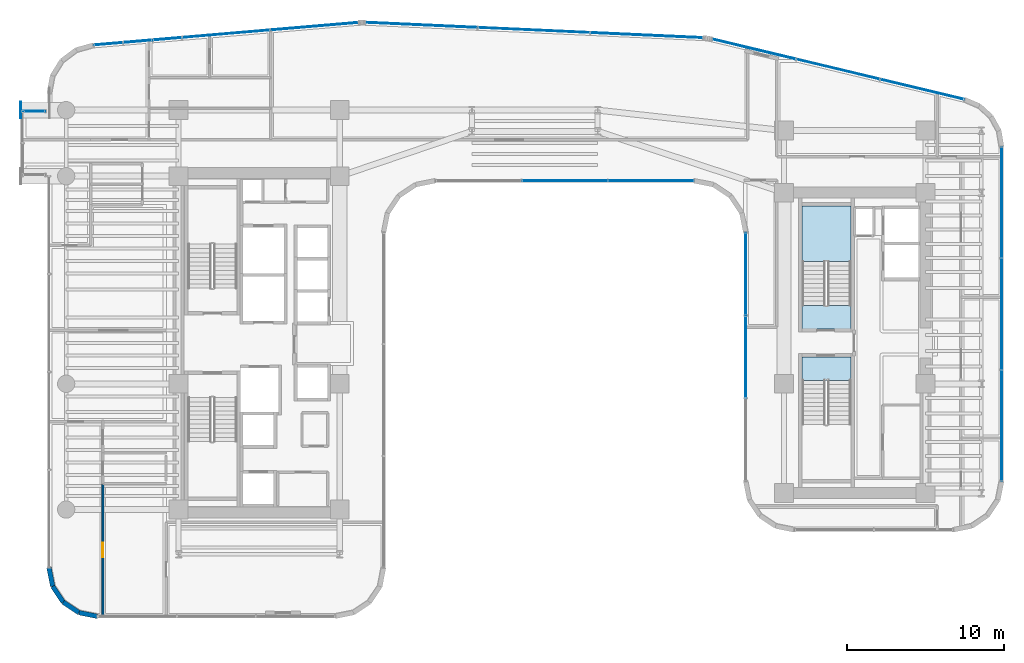
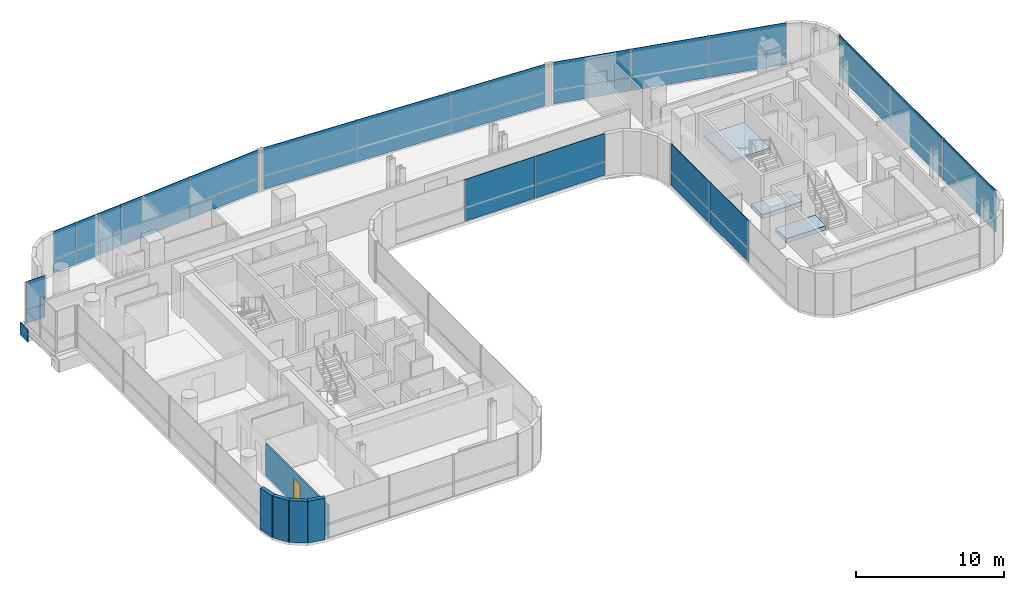
# One storey, part 26 of 35: 33 plates, 5 walls, 3 slabs, 1 door, 1 opening, 8 elements without a shape of their own.
"""IFC4 building model written with IfcOpenShell, lengths in metres."""

import ifcopenshell
import ifcopenshell.guid

model = None  # the IFC model being written
_history = None  # IfcOwnerHistory: only IFC2X3 demands one
_inside = {}  # id of a spatial element -> (the spatial element, [elements in it])
_under = {}  # id of a project, library or spatial element -> (it, [spatial elements below it])
_declared = {}  # id of a project -> (the project, [libraries it declares])
_typed = {}  # id of a type object -> (the type object, [elements of that type])
_made_of = {}  # id of a material, layer set ... -> (it, [elements and type objects made of it])


def new_model(schema):
    """Start an empty IFC model of exactly this schema.

    Asked for "IFC4X3", IfcOpenShell would pick the latest addendum, in which some entities
    have other attributes; the version numbers below select the first issue.
    IFC2X3 requires an IfcOwnerHistory on every rooted entity: one is made here for all.
    """
    global model, _history
    if schema == "IFC4X3":
        model = ifcopenshell.file(schema_version=(4, 3, 0, 0))
    else:
        model = ifcopenshell.file(schema=schema)
    _inside.clear()
    _under.clear()
    _declared.clear()
    _typed.clear()
    _made_of.clear()
    _history = None
    if model.schema == "IFC2X3":
        org = make("IfcOrganization", Name="unknown")
        user = make(
            "IfcPersonAndOrganization",
            ThePerson=make("IfcPerson", FamilyName="unknown"),
            TheOrganization=org,
        )
        app = make(
            "IfcApplication",
            ApplicationDeveloper=org,
            Version="unknown",
            ApplicationFullName="unknown",
            ApplicationIdentifier="unknown",
        )
        _history = make(
            "IfcOwnerHistory",
            OwningUser=user,
            OwningApplication=app,
            ChangeAction="ADDED",
            CreationDate=0,
        )
    return model


def make(cls, **values):
    """One entity of the class cls with the attributes given. An attribute that is None is left unset."""
    return model.create_entity(
        cls, **{name: value for name, value in values.items() if value is not None}
    )


def rooted(cls, **values):
    """An entity with a GlobalId (a new one), such as an element, a storey or a relation."""
    return make(cls, GlobalId=ifcopenshell.guid.new(), OwnerHistory=_history, **values)


def si_unit(unit_type, name, prefix=None):
    """IfcSIUnit, for example si_unit("LENGTHUNIT", "METRE", prefix="MILLI")."""
    return make("IfcSIUnit", UnitType=unit_type, Prefix=prefix, Name=name)


def assignment(units):
    """IfcUnitAssignment: the units of a project."""
    return None if units is None else make("IfcUnitAssignment", Units=units)


def point(xyz):
    """IfcCartesianPoint."""
    return None if xyz is None else make("IfcCartesianPoint", Coordinates=xyz)


def direction(xyz):
    """IfcDirection."""
    return None if xyz is None else make("IfcDirection", DirectionRatios=xyz)


def frame(location, z_axis=None, x_axis=None):
    """IfcAxis2Placement3D, a coordinate frame: its origin and axes. An axis left out is left unset."""
    return make(
        "IfcAxis2Placement3D",
        Location=point(location),
        Axis=direction(z_axis),
        RefDirection=direction(x_axis),
    )


def frame_2d(location, x_axis=None):
    """IfcAxis2Placement2D, a coordinate frame in the plane: its origin and x axis."""
    return make(
        "IfcAxis2Placement2D", Location=point(location), RefDirection=direction(x_axis)
    )


def origin():
    """The frame at (0, 0, 0) with its axes left unset."""
    return frame((0.0, 0.0, 0.0))


def origin_2d():
    """The frame at (0, 0) in the plane with its x axis left unset."""
    return frame_2d((0.0, 0.0))


def place(relative_to, where):
    """IfcLocalPlacement: puts the frame where relative to a parent placement (None: the world)."""
    return make(
        "IfcLocalPlacement", PlacementRelTo=relative_to, RelativePlacement=where
    )


def context(
    kind, dimensions, precision=None, world=None, true_north=None, identifier=None
):
    """IfcGeometricRepresentationContext, for example the 3D "Model" context."""
    return make(
        "IfcGeometricRepresentationContext",
        ContextIdentifier=identifier,
        ContextType=kind,
        CoordinateSpaceDimension=dimensions,
        Precision=precision,
        WorldCoordinateSystem=world,
        TrueNorth=true_north,
    )


def subcontext(parent, identifier, kind, view, scale=None):
    """IfcGeometricRepresentationSubContext, for example "Body" below "Model"."""
    return make(
        "IfcGeometricRepresentationSubContext",
        ContextIdentifier=identifier,
        ContextType=kind,
        ParentContext=parent,
        TargetScale=scale,
        TargetView=view,
    )


def project(units=None, contexts=None):
    """IfcProject with its units and contexts."""
    return rooted(
        "IfcProject",
        Name="project",
        RepresentationContexts=contexts,
        UnitsInContext=assignment(units),
    )


def spatial(cls, under=None, at=None, **own):
    """A site, building, storey or space (cls), placed at a placement, below another one or the project."""
    s = rooted(cls, ObjectPlacement=at, **own)
    if under is not None:
        _under.setdefault(under.id(), (under, []))[1].append(s)
    return s


def polyline(points):
    """IfcPolyline through the points."""
    return make("IfcPolyline", Points=[point(p) for p in points])


def profile(cls, at=None, kind="AREA", **sizes):
    """A parametric profile (cls). Its sizes go by their IFC names, for example OverallWidth=200.0."""
    return make(cls, ProfileType=kind, Position=at, **sizes)


def rectangle(**sizes):
    """IfcRectangleProfileDef."""
    return profile("IfcRectangleProfileDef", **sizes)


def outline(outer, holes=None, kind="AREA"):
    """IfcArbitraryClosedProfileDef: a profile drawn as a closed curve; with holes, ...WithVoids."""
    if holes is None:
        return make("IfcArbitraryClosedProfileDef", ProfileType=kind, OuterCurve=outer)
    return make(
        "IfcArbitraryProfileDefWithVoids",
        ProfileType=kind,
        OuterCurve=outer,
        InnerCurves=holes,
    )


def extrude(swept, where, along, depth):
    """IfcExtrudedAreaSolid: the profile swept, set in the frame where, extruded along a direction by depth."""
    return make(
        "IfcExtrudedAreaSolid",
        SweptArea=swept,
        Position=where,
        ExtrudedDirection=direction(along),
        Depth=depth,
    )


def shape(context_of_items, identifier, shape_type, items):
    """IfcShapeRepresentation: the items that make up one representation, for example the "Body"."""
    return make(
        "IfcShapeRepresentation",
        ContextOfItems=context_of_items,
        RepresentationIdentifier=identifier,
        RepresentationType=shape_type,
        Items=items,
    )


def source(mapping_origin, context_of_items, identifier, shape_type, items):
    """IfcRepresentationMap: a shape defined once, which mapped items show again and again."""
    return make(
        "IfcRepresentationMap",
        MappingOrigin=mapping_origin,
        MappedRepresentation=shape(context_of_items, identifier, shape_type, items),
    )


def transform(
    local_origin,
    x_axis=None,
    y_axis=None,
    z_axis=None,
    scale=None,
    scale2=None,
    scale3=None,
    uniform=True,
):
    """IfcCartesianTransformationOperator3D, or its non-uniform kind. x_axis, y_axis, z_axis: its Axis1, 2, 3."""
    if uniform:
        return make(
            "IfcCartesianTransformationOperator3D",
            Axis1=direction(x_axis),
            Axis2=direction(y_axis),
            LocalOrigin=point(local_origin),
            Scale=scale,
            Axis3=direction(z_axis),
        )
    return make(
        "IfcCartesianTransformationOperator3DnonUniform",
        Axis1=direction(x_axis),
        Axis2=direction(y_axis),
        LocalOrigin=point(local_origin),
        Scale=scale,
        Axis3=direction(z_axis),
        Scale2=scale2,
        Scale3=scale3,
    )


def mapped(mapping_source, mapping_target):
    """IfcMappedItem: shows the shape of a source again, moved by a transform."""
    return make(
        "IfcMappedItem", MappingSource=mapping_source, MappingTarget=mapping_target
    )


def material(Name=None, Category=None):
    """IfcMaterial."""
    return make("IfcMaterial", Name=Name, Category=Category)


def layer(
    of_material, thickness, ventilated=None, Name=None, Category=None, Priority=None
):
    """IfcMaterialLayer: one layer of a wall or slab, of a material (None: an air gap)."""
    return make(
        "IfcMaterialLayer",
        Material=of_material,
        LayerThickness=thickness,
        IsVentilated=ventilated,
        Name=Name,
        Category=Category,
        Priority=Priority,
    )


def layer_set(layers, Name=None):
    """IfcMaterialLayerSet."""
    return make("IfcMaterialLayerSet", MaterialLayers=layers, LayerSetName=Name)


def made_of(thing, what):
    """Note that an element or type object is made of a material, layer set ...; save() writes the relation."""
    if what is not None:
        _made_of.setdefault(what.id(), (what, []))[1].append(thing)
    return thing


def type_object(cls, material=None, **own):
    """A type object (cls), such as IfcWallType, which elements share."""
    return made_of(rooted(cls, **own), material)


def element(
    cls,
    number,
    at=None,
    inside=None,
    cuts=None,
    type_object=None,
    material=None,
    context=None,
    identifier="Body",
    shape_type=None,
    held_by="IfcProductDefinitionShape",
    body=None,
    shapes=None,
    **own,
):
    """One element of the class cls, such as IfcWall. Its Tag is "e" and its number.

    at: its placement. inside: the storey or other place that contains it. cuts: it is an
    opening in that element (IfcRelVoidsElement). A single representation is given by context,
    identifier, shape_type and body (its items); several are given by shapes. held_by: the class
    of the entity that holds the representations. save() writes the other relations.
    """
    e = rooted(cls, Tag="e%d" % number, ObjectPlacement=at, **own)
    if body is not None:
        shapes = [shape(context, identifier, shape_type, body)]
    if shapes is not None:
        e.Representation = make(held_by, Representations=shapes)
    if inside is not None:
        _inside.setdefault(inside.id(), (inside, []))[1].append(e)
    if cuts is not None:
        rooted(
            "IfcRelVoidsElement", RelatingBuildingElement=cuts, RelatedOpeningElement=e
        )
    if type_object is not None:
        _typed.setdefault(type_object.id(), (type_object, []))[1].append(e)
    return made_of(e, material)


def fill(opening, filler):
    """IfcRelFillsElement: the door or window that sits in an opening."""
    return rooted(
        "IfcRelFillsElement",
        RelatingOpeningElement=opening,
        RelatedBuildingElement=filler,
    )


def aggregate(whole, parts):
    """IfcRelAggregates: a whole, such as a stair, and the parts it consists of."""
    return rooted("IfcRelAggregates", RelatingObject=whole, RelatedObjects=parts)


def save(model, path):
    """Write the relations noted so far, then the file.

    IfcRelAggregates (storeys below a building ...), IfcRelContainedInSpatialStructure (elements
    in a storey), IfcRelDefinesByType, IfcRelAssociatesMaterial and IfcRelDeclares: one each for
    every whole, place, type object, material and project.
    """
    for whole, parts in _under.values():
        aggregate(whole, parts)
    for where, things in _inside.values():
        rooted(
            "IfcRelContainedInSpatialStructure",
            RelatedElements=things,
            RelatingStructure=where,
        )
    for kind, things in _typed.values():
        rooted("IfcRelDefinesByType", RelatedObjects=things, RelatingType=kind)
    for what, things in _made_of.values():
        rooted("IfcRelAssociatesMaterial", RelatedObjects=things, RelatingMaterial=what)
    for by, libraries in _declared.values():
        rooted("IfcRelDeclares", RelatingContext=by, RelatedDefinitions=libraries)
    model.write(path)


model = new_model("IFC4")

# Units and contexts
model_context = context("Model", 3, precision=1e-05, world=origin(), true_north=direction((0.0, 1.0)))
body_context = subcontext(model_context, "Body", "Model", "MODEL_VIEW")
ifc_project = project(units=[si_unit("LENGTHUNIT", "METRE"), si_unit("AREAUNIT", "SQUARE_METRE"), si_unit("VOLUMEUNIT", "CUBIC_METRE"), si_unit("PLANEANGLEUNIT", "RADIAN"), si_unit("MASSUNIT", "GRAM", prefix="KILO")], contexts=[model_context])

# Site, building, storey
site_placement = place(None, origin())
site = spatial("IfcSite", under=ifc_project, at=site_placement, CompositionType="ELEMENT")
building_placement = place(site_placement, origin())
building = spatial("IfcBuilding", under=site, at=building_placement, Name="Valdorenza Pilgrim Sanctuary Tower", CompositionType="ELEMENT")
storey_placement = place(building_placement, frame((0.0, 0.0, 150.10009765625)))
storey = spatial("IfcBuildingStorey", under=building, at=storey_placement, Name="L38", CompositionType="ELEMENT", Elevation=150.10009765625)

# Stair, slab
ifc_material_1 = material(Name="Concrete C40/50", Category="concrete")
stair_type = type_object("IfcStairType", Name="STR-DOG-CORE", PredefinedType="HALF_TURN_STAIR", material=ifc_material_1)
stair_placement = place(storey_placement, origin())
stair = element("IfcStair", 1, at=stair_placement, inside=storey, type_object=stair_type, Name="L38 ST-B1", PredefinedType="HALF_TURN_STAIR")
ifc_layer_1 = layer(ifc_material_1, 0.199951171875, Name="Concrete C40/50")
ifc_layer_set_1 = layer_set([ifc_layer_1], Name="Concrete C40/50")
slab_type_1 = type_object("IfcSlabType", Name="SLAB-STL-200", PredefinedType="LANDING", material=ifc_layer_set_1)
slab_1_placement = place(storey_placement, frame((0.0, 0.0, 1.64990234375)))
slab_1 = element("IfcSlab", 2, at=slab_1_placement, type_object=slab_type_1, Name="ST-B1 landing 1", PredefinedType="LANDING", context=body_context, shape_type="SweptSolid", body=[
    extrude(outline(polyline([(20.110107421875, 5.179931640625), (20.110107421875, 8.699951171875), (17.0, 8.699951171875), (17.0, 5.179931640625), (20.110107421875, 5.179931640625)])), origin(), (0.0, 0.0, 1.0), 0.199951171875),
])
aggregate(stair, [slab_1])

# Slabs
ifc_material_2 = material(Name="Concrete C50/60", Category="concrete")
ifc_layer_2 = layer(ifc_material_2, 0.39990234375, Name="Concrete C50/60")
ifc_layer_set_2 = layer_set([ifc_layer_2], Name="Concrete C50/60")
slab_type_2 = type_object("IfcSlabType", Name="SLAB-TRF-400", PredefinedType="FLOOR", material=ifc_layer_set_2)
slab_2_placement = place(storey_placement, frame((0.0, 0.0, -0.360107421875)))
element("IfcSlab", 3, at=slab_2_placement, inside=storey, type_object=slab_type_2, Name="L38 ST-B1 Structural Stair Landing Bearing Slab", PredefinedType="FLOOR", context=body_context, shape_type="SweptSolid", body=[
    extrude(outline(polyline([(17.0, 0.89990234375), (20.110107421875, 0.89990234375), (20.110107421875, 2.385009765625), (17.0, 2.385009765625), (17.0, 0.89990234375)])), origin(), (0.0, 0.0, 1.0), 0.360107421875),
])
slab_3_placement = place(storey_placement, frame((0.0, 0.0, -0.360107421875)))
element("IfcSlab", 4, at=slab_3_placement, inside=storey, type_object=slab_type_2, Name="L38 ST-B2 Structural Stair Landing Bearing Slab", PredefinedType="FLOOR", context=body_context, shape_type="SweptSolid", body=[
    extrude(outline(polyline([(17.0, -2.385009765625), (20.110107421875, -2.385009765625), (20.110107421875, -0.89990234375), (17.0, -0.89990234375), (17.0, -2.385009765625)])), origin(), (0.0, 0.0, 1.0), 0.360107421875),
])

# Plate
ifc_material_3 = material(Name="Steel ASTM A572 Grade 42", Category="steel")
ifc_layer_3 = layer(ifc_material_3, 0.06005859375, Name="Steel ASTM A572 Grade 42")
ifc_layer_set_3 = layer_set([ifc_layer_3], Name="Steel ASTM A572 Grade 42")
plate_type_1 = type_object("IfcPlateType", Name="PLT-CAP-60", PredefinedType="SHEET", material=ifc_layer_set_3)
shared_shape_1 = source(origin(), body_context, "Body", "SweptSolid", [
    extrude(rectangle(XDim=0.06005859375, YDim=1.0400390625, at=origin_2d()), origin(), (0.0, 0.0, 1.0), 1.0400390625),
])
plate_1_placement = place(storey_placement, frame((-32.679931640625, 14.800048828125, -1.260009765625), z_axis=(0.0, 0.0, 1.0), x_axis=(1.0, 0.0, 0.0)))
element("IfcPlate", 5, at=plate_1_placement, inside=storey, type_object=plate_type_1, Name="L38 BOX-WA-L38 Cantilever Tip End Cap N", PredefinedType="SHEET", context=body_context, shape_type="MappedRepresentation", body=[
    mapped(shared_shape_1, transform((0.0, 0.0, 0.0), x_axis=(1.0, 0.0, 0.0), y_axis=(0.0, 1.0, 0.0), z_axis=(0.0, 0.0, 1.0), scale=1.0)),
])

# Curtain wall, plates
ifc_material_4 = material(Name="Curtain-wall IGU glazing", Category="glass")
curtain_wall_type_1 = type_object("IfcCurtainWallType", Name="CW-SYS-02", PredefinedType="NOTDEFINED", material=ifc_material_4)
curtain_wall_1_placement = place(storey_placement, origin())
curtain_wall_1 = element("IfcCurtainWall", 6, at=curtain_wall_1_placement, inside=storey, type_object=curtain_wall_type_1, Name="L38 Curtain Wall CW-L38-1-36", PredefinedType="NOTDEFINED")
ifc_material_5 = material(Name="Honed travertine limestone", Category="masonry")
ifc_layer_4 = layer(ifc_material_5, 0.050048828125, Name="Honed travertine limestone")
ifc_layer_set_4 = layer_set([ifc_layer_4], Name="Honed travertine limestone")
plate_type_2 = type_object("IfcPlateType", Name="CW-SPN-TRV", PredefinedType="USERDEFINED", material=ifc_layer_set_4)
shared_shape_2 = source(origin(), body_context, "Body", "SweptSolid", [
    extrude(rectangle(XDim=5.453857421875, YDim=0.06005859375, at=origin_2d()), origin(), (0.0, 0.0, 1.0), 1.10009765625),
])
plate_2_placement = place(storey_placement, frame((7.373779296875, 10.31005859375, 0.009765625), z_axis=(0.0, 0.0, 1.0), x_axis=(-1.0, 0.0, 0.0)))
plate_2 = element("IfcPlate", 7, at=plate_2_placement, type_object=plate_type_2, Name="CW-L38-1-36 Travertine Spandrel 1", ObjectType="SPANDREL", PredefinedType="USERDEFINED", context=body_context, shape_type="MappedRepresentation", body=[
    mapped(shared_shape_2, transform((0.0, 0.0, 0.0), x_axis=(1.0, 0.0, 0.0), y_axis=(0.0, 1.0, 0.0), z_axis=(0.0, 0.0, 1.0), scale=1.0)),
])
ifc_material_6 = material(Name="Ceramic-fritted low-E IGU glazing", Category="glass")
ifc_layer_5 = layer(ifc_material_6, 0.035888671875, Name="Ceramic-fritted low-E IGU glazing")
ifc_layer_set_5 = layer_set([ifc_layer_5], Name="Ceramic-fritted low-E IGU glazing")
plate_type_3 = type_object("IfcPlateType", Name="CW-GLZ-IGU", PredefinedType="USERDEFINED", material=ifc_layer_set_5)
shared_shape_3 = source(origin(), body_context, "Body", "SweptSolid", [
    extrude(rectangle(XDim=5.453857421875, YDim=0.050048828125, at=origin_2d()), origin(), (0.0, 0.0, 1.0), 2.320068359375),
])
plate_3_placement = place(storey_placement, frame((7.373779296875, 10.31005859375, 1.1298828125), z_axis=(0.0, 0.0, 1.0), x_axis=(-1.0, 0.0, 0.0)))
plate_3 = element("IfcPlate", 8, at=plate_3_placement, type_object=plate_type_3, Name="CW-L38-1-36 Facade Panel 1", ObjectType="GLAZING", PredefinedType="USERDEFINED", context=body_context, shape_type="MappedRepresentation", body=[
    mapped(shared_shape_3, transform((0.0, 0.0, 0.0), x_axis=(1.0, 0.0, 0.0), y_axis=(0.0, 1.0, 0.0), z_axis=(0.0, 0.0, 1.0), scale=1.0)),
])
shared_shape_4 = source(origin(), body_context, "Body", "SweptSolid", [
    extrude(rectangle(XDim=5.453857421875, YDim=0.050048828125, at=origin_2d()), origin(), (0.0, 0.0, 1.0), 3.43994140625),
])
plate_4_placement = place(storey_placement, frame((1.89990234375, 10.31005859375, 0.010009765625), z_axis=(0.0, 0.0, 1.0), x_axis=(-1.0, 0.0, 0.0)))
plate_4 = element("IfcPlate", 9, at=plate_4_placement, type_object=plate_type_3, Name="CW-L38-1-36 Full-Height Facade Panel 2", ObjectType="GLAZING", PredefinedType="USERDEFINED", context=body_context, shape_type="MappedRepresentation", body=[
    mapped(shared_shape_4, transform((0.0, 0.0, 0.0), x_axis=(1.0, 0.0, 0.0), y_axis=(0.0, 1.0, 0.0), z_axis=(0.0, 0.0, 1.0), scale=1.0)),
])
aggregate(curtain_wall_1, [plate_2, plate_3, plate_4])

curtain_wall_2_placement = place(storey_placement, origin())
curtain_wall_2 = element("IfcCurtainWall", 10, at=curtain_wall_2_placement, inside=storey, type_object=curtain_wall_type_1, Name="L38 Curtain Wall CW-L38-BOX-WA-L38-N", PredefinedType="NOTDEFINED")
shared_shape_5 = source(origin(), body_context, "Body", "SweptSolid", [
    extrude(rectangle(XDim=1.43994140625, YDim=0.06005859375, at=origin_2d()), origin(), (0.0, 0.0, 1.0), 1.10009765625),
])
plate_5_placement = place(storey_placement, frame((-31.840087890625, 14.719970703125, 0.009765625), z_axis=(0.0, 0.0, 1.0), x_axis=(1.0, 0.0, 0.0)))
plate_5 = element("IfcPlate", 11, at=plate_5_placement, type_object=plate_type_2, Name="CW-L38-BOX-WA-L38-N Travertine Spandrel 1", ObjectType="SPANDREL", PredefinedType="USERDEFINED", context=body_context, shape_type="MappedRepresentation", body=[
    mapped(shared_shape_5, transform((0.0, 0.0, 0.0), x_axis=(1.0, 0.0, 0.0), y_axis=(0.0, 1.0, 0.0), z_axis=(0.0, 0.0, 1.0), scale=1.0)),
])
shared_shape_6 = source(origin(), body_context, "Body", "SweptSolid", [
    extrude(rectangle(XDim=1.43994140625, YDim=0.050048828125, at=origin_2d()), origin(), (0.0, 0.0, 1.0), 2.320068359375),
])
plate_6_placement = place(storey_placement, frame((-31.840087890625, 14.719970703125, 1.1298828125), z_axis=(0.0, 0.0, 1.0), x_axis=(1.0, 0.0, 0.0)))
plate_6 = element("IfcPlate", 12, at=plate_6_placement, type_object=plate_type_3, Name="CW-L38-BOX-WA-L38-N Facade Panel 1", ObjectType="GLAZING", PredefinedType="USERDEFINED", context=body_context, shape_type="MappedRepresentation", body=[
    mapped(shared_shape_6, transform((0.0, 0.0, 0.0), x_axis=(1.0, 0.0, 0.0), y_axis=(0.0, 1.0, 0.0), z_axis=(0.0, 0.0, 1.0), scale=1.0)),
])
aggregate(curtain_wall_2, [plate_5, plate_6])

# Curtain wall, plate
curtain_wall_3_placement = place(storey_placement, origin())
curtain_wall_3 = element("IfcCurtainWall", 13, at=curtain_wall_3_placement, inside=storey, type_object=curtain_wall_type_1, Name="L38 Curtain Wall CW-L38-1-6", PredefinedType="NOTDEFINED")
shared_shape_7 = source(origin(), body_context, "Body", "SweptSolid", [
    extrude(rectangle(XDim=5.61767578125, YDim=0.06005859375, at=origin_2d()), origin(), (0.0, 0.0, 1.0), 1.10009765625),
])
plate_7_placement = place(storey_placement, frame((-14.008056640625, 20.1337890625, 0.009765625), z_axis=(0.0, 0.0, 1.0), x_axis=(0.99640764237, 0.084686541006, 0.0)))
plate_7 = element("IfcPlate", 14, at=plate_7_placement, type_object=plate_type_2, Name="CW-L38-1-6 Travertine Spandrel 3", ObjectType="SPANDREL", PredefinedType="USERDEFINED", context=body_context, shape_type="MappedRepresentation", body=[
    mapped(shared_shape_7, transform((0.0, 0.0, 0.0), x_axis=(1.0, 0.0, 0.0), y_axis=(0.0, 1.0, 0.0), z_axis=(0.0, 0.0, 1.0), scale=1.0)),
])

# Curtain wall, plates
curtain_wall_4_placement = place(storey_placement, origin())
curtain_wall_4 = element("IfcCurtainWall", 15, at=curtain_wall_4_placement, inside=storey, type_object=curtain_wall_type_1, Name="L38 Curtain Wall CW-L38-1-11", PredefinedType="NOTDEFINED")
shared_shape_8 = source(origin(), body_context, "Body", "SweptSolid", [
    extrude(rectangle(XDim=7.1494140625, YDim=0.06005859375, at=origin_2d()), origin(), (0.0, 0.0, 1.0), 1.10009765625),
])
plate_8_placement = place(storey_placement, frame((-7.21484375, 20.2177734375, 0.009765625), z_axis=(0.0, 0.0, 1.0), x_axis=(0.998968193221, -0.045415294044, 0.0)))
plate_8 = element("IfcPlate", 16, at=plate_8_placement, type_object=plate_type_2, Name="CW-L38-1-11 Travertine Spandrel 1", ObjectType="SPANDREL", PredefinedType="USERDEFINED", context=body_context, shape_type="MappedRepresentation", body=[
    mapped(shared_shape_8, transform((0.0, 0.0, 0.0), x_axis=(1.0, 0.0, 0.0), y_axis=(0.0, 1.0, 0.0), z_axis=(0.0, 0.0, 1.0), scale=1.0)),
])
plate_9_placement = place(storey_placement, frame((7.10888671875, 19.56689453125, 0.009765625), z_axis=(0.0, 0.0, 1.0), x_axis=(0.998968193221, -0.045415294044, 0.0)))
plate_9 = element("IfcPlate", 17, at=plate_9_placement, type_object=plate_type_2, Name="CW-L38-1-11 Travertine Spandrel 3", ObjectType="SPANDREL", PredefinedType="USERDEFINED", context=body_context, shape_type="MappedRepresentation", body=[
    mapped(shared_shape_8, transform((0.0, 0.0, 0.0), x_axis=(1.0, 0.0, 0.0), y_axis=(0.0, 1.0, 0.0), z_axis=(0.0, 0.0, 1.0), scale=1.0)),
])

curtain_wall_type_2 = type_object("IfcCurtainWallType", Name="CW-SYS-03", PredefinedType="NOTDEFINED", material=ifc_material_4)
curtain_wall_5_placement = place(storey_placement, origin())
curtain_wall_5 = element("IfcCurtainWall", 18, at=curtain_wall_5_placement, inside=storey, type_object=curtain_wall_type_2, Name="L38 Curtain Wall CW-L38-1-16", PredefinedType="NOTDEFINED")
shared_shape_9 = source(origin(), body_context, "Body", "SweptSolid", [
    extrude(rectangle(XDim=5.477294921875, YDim=0.06005859375, at=origin_2d()), origin(), (0.0, 0.0, 1.0), 1.10009765625),
])
plate_10_placement = place(storey_placement, frame((13.944580078125, 18.68212890625, 0.009765625), z_axis=(0.0, 0.0, 1.0), x_axis=(0.972528596343, -0.232783438617, 0.0)))
plate_10 = element("IfcPlate", 19, at=plate_10_placement, type_object=plate_type_2, Name="CW-L38-1-16 Travertine Spandrel 1", ObjectType="SPANDREL", PredefinedType="USERDEFINED", context=body_context, shape_type="MappedRepresentation", body=[
    mapped(shared_shape_9, transform((0.0, 0.0, 0.0), x_axis=(1.0, 0.0, 0.0), y_axis=(0.0, 1.0, 0.0), z_axis=(0.0, 0.0, 1.0), scale=1.0)),
])
plate_11_placement = place(storey_placement, frame((24.63720703125, 16.122802734375, 0.009765625), z_axis=(0.0, 0.0, 1.0), x_axis=(0.972528596343, -0.232783438617, 0.0)))
plate_11 = element("IfcPlate", 20, at=plate_11_placement, type_object=plate_type_2, Name="CW-L38-1-16 Travertine Spandrel 3", ObjectType="SPANDREL", PredefinedType="USERDEFINED", context=body_context, shape_type="MappedRepresentation", body=[
    mapped(shared_shape_9, transform((0.0, 0.0, 0.0), x_axis=(1.0, 0.0, 0.0), y_axis=(0.0, 1.0, 0.0), z_axis=(0.0, 0.0, 1.0), scale=1.0)),
])

curtain_wall_6_placement = place(storey_placement, origin())
curtain_wall_6 = element("IfcCurtainWall", 21, at=curtain_wall_6_placement, inside=storey, type_object=curtain_wall_type_2, Name="L38 Curtain Wall CW-L38-1-21", PredefinedType="NOTDEFINED")
shared_shape_10 = source(origin(), body_context, "Body", "SweptSolid", [
    extrude(rectangle(XDim=7.065185546875, YDim=0.06005859375, at=origin_2d()), origin(), (0.0, 0.0, 1.0), 1.10009765625),
])
plate_12_placement = place(storey_placement, frame((29.68994140625, 8.923828125, 0.009765625), z_axis=(0.0, 0.0, 1.0), x_axis=(0.0, -1.0, 0.0)))
plate_12 = element("IfcPlate", 22, at=plate_12_placement, type_object=plate_type_2, Name="CW-L38-1-21 Travertine Spandrel 1", ObjectType="SPANDREL", PredefinedType="USERDEFINED", context=body_context, shape_type="MappedRepresentation", body=[
    mapped(shared_shape_10, transform((0.0, 0.0, 0.0), x_axis=(1.0, 0.0, 0.0), y_axis=(0.0, 1.0, 0.0), z_axis=(0.0, 0.0, 1.0), scale=1.0)),
])
plate_13_placement = place(storey_placement, frame((29.68994140625, -5.24658203125, 0.009765625), z_axis=(0.0, 0.0, 1.0), x_axis=(0.0, -1.0, 0.0)))
plate_13 = element("IfcPlate", 23, at=plate_13_placement, type_object=plate_type_2, Name="CW-L38-1-21 Travertine Spandrel 3", ObjectType="SPANDREL", PredefinedType="USERDEFINED", context=body_context, shape_type="MappedRepresentation", body=[
    mapped(shared_shape_10, transform((0.0, 0.0, 0.0), x_axis=(1.0, 0.0, 0.0), y_axis=(0.0, 1.0, 0.0), z_axis=(0.0, 0.0, 1.0), scale=1.0)),
])

# Curtain wall, plate
curtain_wall_7_placement = place(storey_placement, origin())
curtain_wall_7 = element("IfcCurtainWall", 24, at=curtain_wall_7_placement, inside=storey, type_object=curtain_wall_type_2, Name="L38 Curtain Wall CW-L38-1-31", PredefinedType="NOTDEFINED")
shared_shape_11 = source(origin(), body_context, "Body", "SweptSolid", [
    extrude(rectangle(XDim=5.24658203125, YDim=0.06005859375, at=origin_2d()), origin(), (0.0, 0.0, 1.0), 1.10009765625),
])
plate_14_placement = place(storey_placement, frame((13.409912109375, 4.37744140625, 0.009765625), z_axis=(0.0, 0.0, 1.0), x_axis=(0.0, 1.0, 0.0)))
plate_14 = element("IfcPlate", 25, at=plate_14_placement, type_object=plate_type_2, Name="CW-L38-1-31 Travertine Spandrel 3", ObjectType="SPANDREL", PredefinedType="USERDEFINED", context=body_context, shape_type="MappedRepresentation", body=[
    mapped(shared_shape_11, transform((0.0, 0.0, 0.0), x_axis=(1.0, 0.0, 0.0), y_axis=(0.0, 1.0, 0.0), z_axis=(0.0, 0.0, 1.0), scale=1.0)),
])

# Plate
shared_shape_12 = source(origin(), body_context, "Body", "SweptSolid", [
    extrude(rectangle(XDim=5.61767578125, YDim=0.050048828125, at=origin_2d()), origin(), (0.0, 0.0, 1.0), 3.43994140625),
])
plate_15_placement = place(storey_placement, frame((-19.62548828125, 19.656494140625, 0.010009765625), z_axis=(0.0, 0.0, 1.0), x_axis=(0.99640764237, 0.084686541006, 0.0)))
plate_15 = element("IfcPlate", 26, at=plate_15_placement, type_object=plate_type_3, Name="CW-L38-1-6 Full-Height Facade Panel 2", ObjectType="GLAZING", PredefinedType="USERDEFINED", context=body_context, shape_type="MappedRepresentation", body=[
    mapped(shared_shape_12, transform((0.0, 0.0, 0.0), x_axis=(1.0, 0.0, 0.0), y_axis=(0.0, 1.0, 0.0), z_axis=(0.0, 0.0, 1.0), scale=1.0)),
])

shared_shape_13 = source(origin(), body_context, "Body", "SweptSolid", [
    extrude(rectangle(XDim=5.61767578125, YDim=0.050048828125, at=origin_2d()), origin(), (0.0, 0.0, 1.0), 2.320068359375),
])
plate_16_placement = place(storey_placement, frame((-14.008056640625, 20.1337890625, 1.1298828125), z_axis=(0.0, 0.0, 1.0), x_axis=(0.99640764237, 0.084686541006, 0.0)))
plate_16 = element("IfcPlate", 27, at=plate_16_placement, type_object=plate_type_3, Name="CW-L38-1-6 Facade Panel 3", ObjectType="GLAZING", PredefinedType="USERDEFINED", context=body_context, shape_type="MappedRepresentation", body=[
    mapped(shared_shape_13, transform((0.0, 0.0, 0.0), x_axis=(1.0, 0.0, 0.0), y_axis=(0.0, 1.0, 0.0), z_axis=(0.0, 0.0, 1.0), scale=1.0)),
])

shared_shape_14 = source(origin(), body_context, "Body", "SweptSolid", [
    extrude(rectangle(XDim=7.1494140625, YDim=0.050048828125, at=origin_2d()), origin(), (0.0, 0.0, 1.0), 3.43994140625),
])
plate_17_placement = place(storey_placement, frame((-0.052978515625, 19.892333984375, 0.010009765625), z_axis=(0.0, 0.0, 1.0), x_axis=(0.998968193221, -0.045415294044, 0.0)))
plate_17 = element("IfcPlate", 28, at=plate_17_placement, type_object=plate_type_3, Name="CW-L38-1-11 Full-Height Facade Panel 2", ObjectType="GLAZING", PredefinedType="USERDEFINED", context=body_context, shape_type="MappedRepresentation", body=[
    mapped(shared_shape_14, transform((0.0, 0.0, 0.0), x_axis=(1.0, 0.0, 0.0), y_axis=(0.0, 1.0, 0.0), z_axis=(0.0, 0.0, 1.0), scale=1.0)),
])

shared_shape_15 = source(origin(), body_context, "Body", "SweptSolid", [
    extrude(rectangle(XDim=7.1494140625, YDim=0.050048828125, at=origin_2d()), origin(), (0.0, 0.0, 1.0), 2.320068359375),
])
plate_18_placement = place(storey_placement, frame((-7.21484375, 20.2177734375, 1.1298828125), z_axis=(0.0, 0.0, 1.0), x_axis=(0.998968193221, -0.045415294044, 0.0)))
plate_18 = element("IfcPlate", 29, at=plate_18_placement, type_object=plate_type_3, Name="CW-L38-1-11 Facade Panel 1", ObjectType="GLAZING", PredefinedType="USERDEFINED", context=body_context, shape_type="MappedRepresentation", body=[
    mapped(shared_shape_15, transform((0.0, 0.0, 0.0), x_axis=(1.0, 0.0, 0.0), y_axis=(0.0, 1.0, 0.0), z_axis=(0.0, 0.0, 1.0), scale=1.0)),
])

plate_19_placement = place(storey_placement, frame((7.10888671875, 19.56689453125, 1.1298828125), z_axis=(0.0, 0.0, 1.0), x_axis=(0.998968193221, -0.045415294044, 0.0)))
plate_19 = element("IfcPlate", 30, at=plate_19_placement, type_object=plate_type_3, Name="CW-L38-1-11 Facade Panel 3", ObjectType="GLAZING", PredefinedType="USERDEFINED", context=body_context, shape_type="MappedRepresentation", body=[
    mapped(shared_shape_15, transform((0.0, 0.0, 0.0), x_axis=(1.0, 0.0, 0.0), y_axis=(0.0, 1.0, 0.0), z_axis=(0.0, 0.0, 1.0), scale=1.0)),
])

aggregate(curtain_wall_4, [plate_8, plate_18, plate_17, plate_9, plate_19])

shared_shape_16 = source(origin(), body_context, "Body", "SweptSolid", [
    extrude(rectangle(XDim=5.477294921875, YDim=0.050048828125, at=origin_2d()), origin(), (0.0, 0.0, 1.0), 3.43994140625),
])
plate_20_placement = place(storey_placement, frame((19.291015625, 17.40234375, 0.010009765625), z_axis=(0.0, 0.0, 1.0), x_axis=(0.972528596343, -0.232783438617, 0.0)))
plate_20 = element("IfcPlate", 31, at=plate_20_placement, type_object=plate_type_3, Name="CW-L38-1-16 Full-Height Facade Panel 2", ObjectType="GLAZING", PredefinedType="USERDEFINED", context=body_context, shape_type="MappedRepresentation", body=[
    mapped(shared_shape_16, transform((0.0, 0.0, 0.0), x_axis=(1.0, 0.0, 0.0), y_axis=(0.0, 1.0, 0.0), z_axis=(0.0, 0.0, 1.0), scale=1.0)),
])

shared_shape_17 = source(origin(), body_context, "Body", "SweptSolid", [
    extrude(rectangle(XDim=5.477294921875, YDim=0.050048828125, at=origin_2d()), origin(), (0.0, 0.0, 1.0), 2.320068359375),
])
plate_21_placement = place(storey_placement, frame((13.944580078125, 18.68212890625, 1.1298828125), z_axis=(0.0, 0.0, 1.0), x_axis=(0.972528596343, -0.232783438617, 0.0)))
plate_21 = element("IfcPlate", 32, at=plate_21_placement, type_object=plate_type_3, Name="CW-L38-1-16 Facade Panel 1", ObjectType="GLAZING", PredefinedType="USERDEFINED", context=body_context, shape_type="MappedRepresentation", body=[
    mapped(shared_shape_17, transform((0.0, 0.0, 0.0), x_axis=(1.0, 0.0, 0.0), y_axis=(0.0, 1.0, 0.0), z_axis=(0.0, 0.0, 1.0), scale=1.0)),
])

plate_22_placement = place(storey_placement, frame((24.63720703125, 16.122802734375, 1.1298828125), z_axis=(0.0, 0.0, 1.0), x_axis=(0.972528596343, -0.232783438617, 0.0)))
plate_22 = element("IfcPlate", 33, at=plate_22_placement, type_object=plate_type_3, Name="CW-L38-1-16 Facade Panel 3", ObjectType="GLAZING", PredefinedType="USERDEFINED", context=body_context, shape_type="MappedRepresentation", body=[
    mapped(shared_shape_17, transform((0.0, 0.0, 0.0), x_axis=(1.0, 0.0, 0.0), y_axis=(0.0, 1.0, 0.0), z_axis=(0.0, 0.0, 1.0), scale=1.0)),
])

aggregate(curtain_wall_5, [plate_10, plate_21, plate_20, plate_11, plate_22])

shared_shape_18 = source(origin(), body_context, "Body", "SweptSolid", [
    extrude(rectangle(XDim=7.065185546875, YDim=0.050048828125, at=origin_2d()), origin(), (0.0, 0.0, 1.0), 2.320068359375),
])
plate_23_placement = place(storey_placement, frame((29.68994140625, 8.923828125, 1.1298828125), z_axis=(0.0, 0.0, 1.0), x_axis=(0.0, -1.0, 0.0)))
plate_23 = element("IfcPlate", 34, at=plate_23_placement, type_object=plate_type_3, Name="CW-L38-1-21 Facade Panel 1", ObjectType="GLAZING", PredefinedType="USERDEFINED", context=body_context, shape_type="MappedRepresentation", body=[
    mapped(shared_shape_18, transform((0.0, 0.0, 0.0), x_axis=(1.0, 0.0, 0.0), y_axis=(0.0, 1.0, 0.0), z_axis=(0.0, 0.0, 1.0), scale=1.0)),
])

plate_24_placement = place(storey_placement, frame((29.68994140625, -5.24658203125, 1.1298828125), z_axis=(0.0, 0.0, 1.0), x_axis=(0.0, -1.0, 0.0)))
plate_24 = element("IfcPlate", 35, at=plate_24_placement, type_object=plate_type_3, Name="CW-L38-1-21 Facade Panel 3", ObjectType="GLAZING", PredefinedType="USERDEFINED", context=body_context, shape_type="MappedRepresentation", body=[
    mapped(shared_shape_18, transform((0.0, 0.0, 0.0), x_axis=(1.0, 0.0, 0.0), y_axis=(0.0, 1.0, 0.0), z_axis=(0.0, 0.0, 1.0), scale=1.0)),
])

shared_shape_19 = source(origin(), body_context, "Body", "SweptSolid", [
    extrude(rectangle(XDim=7.065185546875, YDim=0.050048828125, at=origin_2d()), origin(), (0.0, 0.0, 1.0), 3.43994140625),
])
plate_25_placement = place(storey_placement, frame((29.68994140625, 1.838623046875, 0.010009765625), z_axis=(0.0, 0.0, 1.0), x_axis=(0.0, -1.0, 0.0)))
plate_25 = element("IfcPlate", 36, at=plate_25_placement, type_object=plate_type_3, Name="CW-L38-1-21 Full-Height Facade Panel 2", ObjectType="GLAZING", PredefinedType="USERDEFINED", context=body_context, shape_type="MappedRepresentation", body=[
    mapped(shared_shape_19, transform((0.0, 0.0, 0.0), x_axis=(1.0, 0.0, 0.0), y_axis=(0.0, 1.0, 0.0), z_axis=(0.0, 0.0, 1.0), scale=1.0)),
])

aggregate(curtain_wall_6, [plate_12, plate_23, plate_25, plate_13, plate_24])

shared_shape_20 = source(origin(), body_context, "Body", "SweptSolid", [
    extrude(rectangle(XDim=5.24658203125, YDim=0.050048828125, at=origin_2d()), origin(), (0.0, 0.0, 1.0), 2.320068359375),
])
plate_26_placement = place(storey_placement, frame((13.409912109375, 4.37744140625, 1.1298828125), z_axis=(0.0, 0.0, 1.0), x_axis=(0.0, 1.0, 0.0)))
plate_26 = element("IfcPlate", 37, at=plate_26_placement, type_object=plate_type_3, Name="CW-L38-1-31 Facade Panel 3", ObjectType="GLAZING", PredefinedType="USERDEFINED", context=body_context, shape_type="MappedRepresentation", body=[
    mapped(shared_shape_20, transform((0.0, 0.0, 0.0), x_axis=(1.0, 0.0, 0.0), y_axis=(0.0, 1.0, 0.0), z_axis=(0.0, 0.0, 1.0), scale=1.0)),
])

shared_shape_21 = source(origin(), body_context, "Body", "SweptSolid", [
    extrude(rectangle(XDim=5.24658203125, YDim=0.050048828125, at=origin_2d()), origin(), (0.0, 0.0, 1.0), 3.43994140625),
])
plate_27_placement = place(storey_placement, frame((13.409912109375, -0.88916015625, 0.010009765625), z_axis=(0.0, 0.0, 1.0), x_axis=(0.0, 1.0, 0.0)))
plate_27 = element("IfcPlate", 38, at=plate_27_placement, type_object=plate_type_3, Name="CW-L38-1-31 Full-Height Facade Panel 2", ObjectType="GLAZING", PredefinedType="USERDEFINED", context=body_context, shape_type="MappedRepresentation", body=[
    mapped(shared_shape_21, transform((0.0, 0.0, 0.0), x_axis=(1.0, 0.0, 0.0), y_axis=(0.0, 1.0, 0.0), z_axis=(0.0, 0.0, 1.0), scale=1.0)),
])

aggregate(curtain_wall_7, [plate_27, plate_14, plate_26])

shared_shape_22 = source(origin(), body_context, "Body", "SweptSolid", [
    extrude(rectangle(XDim=1.8525390625, YDim=0.050048828125, at=origin_2d()), origin(), (0.0, 0.0, 1.0), 2.320068359375),
])
plate_28_placement = place(storey_placement, frame((-27.108642578125, 19.0205078125, 1.1298828125), z_axis=(0.0, 0.0, 1.0), x_axis=(0.99640764237, 0.084686541006, 0.0)))
plate_28 = element("IfcPlate", 39, at=plate_28_placement, type_object=plate_type_3, Name="CW-L38-1-6 Facade Panel 1 Sub 1", ObjectType="GLAZING", PredefinedType="USERDEFINED", context=body_context, shape_type="MappedRepresentation", body=[
    mapped(shared_shape_22, transform((0.0, 0.0, 0.0), x_axis=(1.0, 0.0, 0.0), y_axis=(0.0, 1.0, 0.0), z_axis=(0.0, 0.0, 1.0), scale=1.0)),
])

plate_29_placement = place(storey_placement, frame((-25.242919921875, 19.178955078125, 1.1298828125), z_axis=(0.0, 0.0, 1.0), x_axis=(0.99640764237, 0.084686541006, 0.0)))
plate_29 = element("IfcPlate", 40, at=plate_29_placement, type_object=plate_type_3, Name="CW-L38-1-6 Facade Panel 1 Sub 2", ObjectType="GLAZING", PredefinedType="USERDEFINED", context=body_context, shape_type="MappedRepresentation", body=[
    mapped(shared_shape_22, transform((0.0, 0.0, 0.0), x_axis=(1.0, 0.0, 0.0), y_axis=(0.0, 1.0, 0.0), z_axis=(0.0, 0.0, 1.0), scale=1.0)),
])

plate_30_placement = place(storey_placement, frame((-23.376953125, 19.337646484375, 1.1298828125), z_axis=(0.0, 0.0, 1.0), x_axis=(0.99640764237, 0.084686541006, 0.0)))
plate_30 = element("IfcPlate", 41, at=plate_30_placement, type_object=plate_type_3, Name="CW-L38-1-6 Facade Panel 1 Sub 3", ObjectType="GLAZING", PredefinedType="USERDEFINED", context=body_context, shape_type="MappedRepresentation", body=[
    mapped(shared_shape_22, transform((0.0, 0.0, 0.0), x_axis=(1.0, 0.0, 0.0), y_axis=(0.0, 1.0, 0.0), z_axis=(0.0, 0.0, 1.0), scale=1.0)),
])

shared_shape_23 = source(origin(), body_context, "Body", "SweptSolid", [
    extrude(rectangle(XDim=1.8525390625, YDim=0.06005859375, at=origin_2d()), origin(), (0.0, 0.0, 1.0), 1.10009765625),
])
plate_31_placement = place(storey_placement, frame((-27.108642578125, 19.0205078125, 0.009765625), z_axis=(0.0, 0.0, 1.0), x_axis=(0.99640764237, 0.084686541006, 0.0)))
plate_31 = element("IfcPlate", 42, at=plate_31_placement, type_object=plate_type_2, Name="CW-L38-1-6 Travertine Spandrel 1 Sub 1", ObjectType="SPANDREL", PredefinedType="USERDEFINED", context=body_context, shape_type="MappedRepresentation", body=[
    mapped(shared_shape_23, transform((0.0, 0.0, 0.0), x_axis=(1.0, 0.0, 0.0), y_axis=(0.0, 1.0, 0.0), z_axis=(0.0, 0.0, 1.0), scale=1.0)),
])

plate_32_placement = place(storey_placement, frame((-25.242919921875, 19.178955078125, 0.009765625), z_axis=(0.0, 0.0, 1.0), x_axis=(0.99640764237, 0.084686541006, 0.0)))
plate_32 = element("IfcPlate", 43, at=plate_32_placement, type_object=plate_type_2, Name="CW-L38-1-6 Travertine Spandrel 1 Sub 2", ObjectType="SPANDREL", PredefinedType="USERDEFINED", context=body_context, shape_type="MappedRepresentation", body=[
    mapped(shared_shape_23, transform((0.0, 0.0, 0.0), x_axis=(1.0, 0.0, 0.0), y_axis=(0.0, 1.0, 0.0), z_axis=(0.0, 0.0, 1.0), scale=1.0)),
])

plate_33_placement = place(storey_placement, frame((-23.376953125, 19.337646484375, 0.009765625), z_axis=(0.0, 0.0, 1.0), x_axis=(0.99640764237, 0.084686541006, 0.0)))
plate_33 = element("IfcPlate", 44, at=plate_33_placement, type_object=plate_type_2, Name="CW-L38-1-6 Travertine Spandrel 1 Sub 3", ObjectType="SPANDREL", PredefinedType="USERDEFINED", context=body_context, shape_type="MappedRepresentation", body=[
    mapped(shared_shape_23, transform((0.0, 0.0, 0.0), x_axis=(1.0, 0.0, 0.0), y_axis=(0.0, 1.0, 0.0), z_axis=(0.0, 0.0, 1.0), scale=1.0)),
])

aggregate(curtain_wall_3, [plate_15, plate_7, plate_16, plate_28, plate_31, plate_29, plate_32, plate_30, plate_33])

# Walls
ifc_layer_6 = layer(ifc_material_5, 0.300048828125, Name="Honed travertine limestone")
ifc_layer_set_6 = layer_set([ifc_layer_6], Name="Honed travertine limestone")
wall_type_1 = type_object("IfcWallType", Name="WAL-EXT-300", PredefinedType="SOLIDWALL", material=ifc_layer_set_6)
wall_1_placement = place(storey_placement, frame((-27.789306640625, -17.389892578125, 0.0), z_axis=(0.0, 0.0, 1.0), x_axis=(-0.980804027463, 0.194996050505, 0.0)))
element("IfcWall", 45, at=wall_1_placement, inside=storey, type_object=wall_type_1, Name="L38 Rounded Wind-Corner Stone Pier 47", PredefinedType="SOLIDWALL", context=body_context, shape_type="SweptSolid", body=[
    extrude(rectangle(XDim=1.2158203125, YDim=0.300048828125, at=frame_2d((0.60791015625, 0.0))), origin(), (0.0, 0.0, 1.0), 3.4599609375),
])
for number, where, z_axis, x_axis, name in (
    (46, (-28.981689453125, -17.15283203125, 0.0), (0.0, 0.0, 1.0), (-0.831426265255, 0.555635100982, 0.0), "L38 Rounded Wind-Corner Stone Pier 48"),
    (47, (-29.9833984375, -16.4833984375, 0.0), (0.0, 0.0, 1.0), (-0.555635100982, 0.831426265255, 0.0), "L38 Rounded Wind-Corner Stone Pier 49"),
):
    element("IfcWall", number, at=place(storey_placement, frame(where, z_axis=z_axis, x_axis=x_axis)), inside=storey, type_object=wall_type_1, Name=name, PredefinedType="SOLIDWALL", context=body_context, shape_type="SweptSolid", body=[
        extrude(rectangle(XDim=1.204833984375, YDim=0.300048828125, at=frame_2d((0.6025390625, 0.0))), origin(), (0.0, 0.0, 1.0), 3.4599609375),
    ])
wall_2_placement = place(storey_placement, frame((-30.65283203125, -15.481689453125, 0.0), z_axis=(0.0, 0.0, 1.0), x_axis=(-0.194996050505, 0.980804027463, 0.0)))
element("IfcWall", 48, at=wall_2_placement, inside=storey, type_object=wall_type_1, Name="L38 Rounded Wind-Corner Stone Pier 50", PredefinedType="SOLIDWALL", context=body_context, shape_type="SweptSolid", body=[
    extrude(rectangle(XDim=1.2158203125, YDim=0.300048828125, at=frame_2d((0.60791015625, 0.0))), origin(), (0.0, 0.0, 1.0), 3.4599609375),
])

# Wall, opening, door
ifc_material_7 = material(Name="Moisture-resistant gypsum partition", Category="gypsum")
ifc_layer_7 = layer(ifc_material_7, 0.1201171875, Name="Moisture-resistant gypsum partition")
ifc_layer_set_7 = layer_set([ifc_layer_7], Name="Moisture-resistant gypsum partition")
wall_type_2 = type_object("IfcWallType", Name="WAL-INT-120", PredefinedType="PARTITIONING", material=ifc_layer_set_7)
wall_3_placement = place(storey_placement, frame((-27.467529296875, -17.389892578125, 0.0), z_axis=(0.0, 0.0, 1.0), x_axis=(0.0, 1.0, 0.0)))
wall_3 = element("IfcWall", 49, at=wall_3_placement, inside=storey, type_object=wall_type_2, Name="L38 Sanctuary Apartment L38-CS1 Bedroom Door Wall", PredefinedType="PARTITIONING", context=body_context, shape_type="SweptSolid", body=[
    extrude(rectangle(XDim=8.43994140625, YDim=0.1201171875, at=frame_2d((4.219970703125, 0.0))), origin(), (0.0, 0.0, 1.0), 2.666015625),
])
opening_placement = place(wall_3_placement, frame((3.77001953125, 0.0, 0.0)))
opening = element("IfcOpeningElement", 50, at=opening_placement, cuts=wall_3, Name="Opening DR-RM1", PredefinedType="OPENING", context=body_context, shape_type="SweptSolid", body=[
    extrude(rectangle(XDim=0.89990234375, YDim=2.10009765625, at=frame_2d((0.449951171875, 1.050048828125))), frame((0.0, 0.074951171875, 0.0), z_axis=(0.0, -1.0, 0.0), x_axis=(1.0, 0.0, 0.0)), (0.0, 0.0, 1.0), 0.14990234375),
])
ifc_material_8 = material(Name="Solid-core European oak timber", Category="wood")
door_type = type_object("IfcDoorType", Name="DR-ROOM-900", OperationType="NOTDEFINED", PredefinedType="DOOR", material=ifc_material_8)
door_placement = place(opening_placement, origin())
door = element("IfcDoor", 51, at=door_placement, inside=storey, type_object=door_type, Name="L38 Sanctuary Apartment L38-CS1 Bedroom Door", OperationType="SINGLE_SWING_RIGHT", OverallHeight=2.10009765625, OverallWidth=0.89990234375, PredefinedType="DOOR", context=body_context, shape_type="SweptSolid", body=[
    extrude(rectangle(XDim=0.89990234375, YDim=2.10009765625, at=frame_2d((0.449951171875, 1.050048828125))), frame((0.0, 0.02490234375, 0.0), z_axis=(0.0, -1.0, 0.0), x_axis=(1.0, 0.0, 0.0)), (0.0, 0.0, 1.0), 0.050048828125),
])
fill(opening, door)

save(model, "model.ifc")
